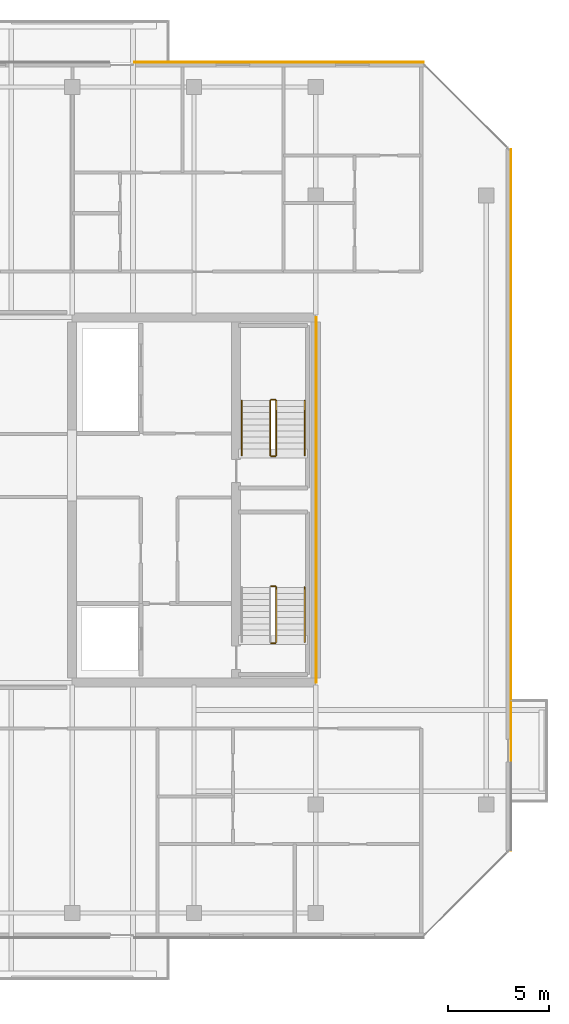
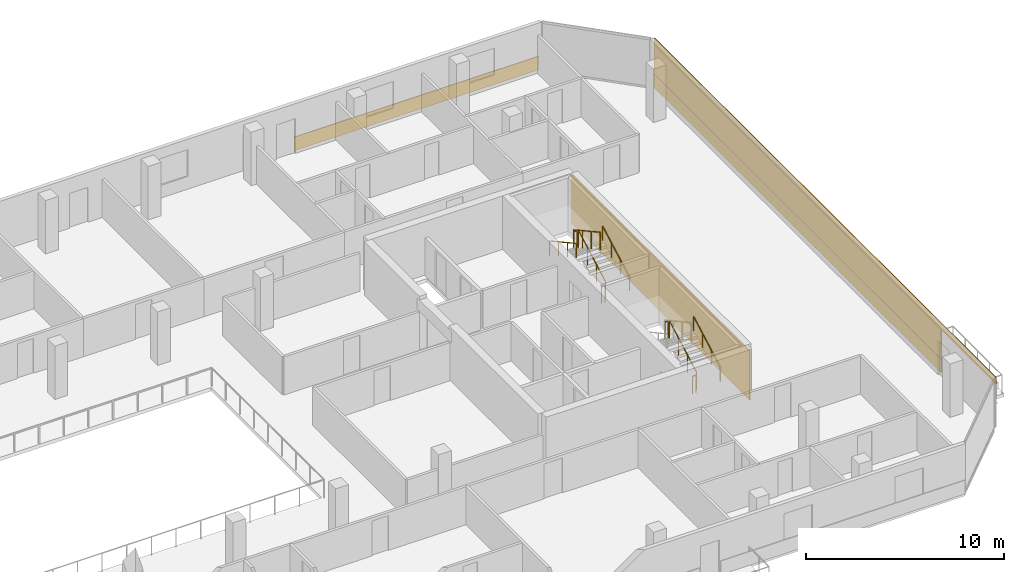
# One storey, part 28 of 28: 10 railings, 5 coverings.
"""IFC4 building model written with IfcOpenShell, lengths in metres."""

from ifc_helpers import new_model, si_unit, direction, frame, origin, origin_2d, place, context, subcontext, project, spatial, rectangle, extrude, material, layer, layer_set, type_object, element, save


model = new_model("IFC4")

# Units and contexts
model_context = context("Model", 3, precision=1e-05, world=origin(), true_north=direction((0.0, 1.0)))
body_context = subcontext(model_context, "Body", "Model", "MODEL_VIEW")
ifc_project = project(units=[si_unit("LENGTHUNIT", "METRE"), si_unit("AREAUNIT", "SQUARE_METRE"), si_unit("VOLUMEUNIT", "CUBIC_METRE"), si_unit("PLANEANGLEUNIT", "RADIAN"), si_unit("MASSUNIT", "GRAM", prefix="KILO")], contexts=[model_context])

# Site, building, storey
site_placement = place(None, origin())
site = spatial("IfcSite", under=ifc_project, at=site_placement, CompositionType="ELEMENT")
building_placement = place(site_placement, origin())
building = spatial("IfcBuilding", under=site, at=building_placement, Name="Tanjung Sevakor Pilgrim Tower", CompositionType="ELEMENT")
storey_placement = place(building_placement, frame((0.0, 0.0, 222.75)))
storey = spatial("IfcBuildingStorey", under=building, at=storey_placement, Name="L62", CompositionType="ELEMENT", Elevation=222.75)

# Coverings
ifc_material_1 = material(Name="Reconstructed Limestone Cladding", Category="masonry")
ifc_layer = layer(ifc_material_1, 0.044921875)
ifc_layer_set = layer_set([ifc_layer], Name="COV-CLAD-LIMESTONE")
covering_type = type_object("IfcCoveringType", Name="COV-CLAD-LIMESTONE", PredefinedType="CLADDING", material=ifc_layer_set)
covering_1_placement = place(storey_placement, frame((99.62255859375, 36.3623046875, 0.009765625), z_axis=(0.0, 0.0, 1.0), x_axis=(0.0, 1.0, 0.0)))
element("IfcCovering", 1, at=covering_1_placement, inside=storey, type_object=covering_type, Name="L62 Warm Limestone Sill Spandrel EW-L62-MAIN-7-2", PredefinedType="CLADDING", context=body_context, shape_type="SweptSolid", body=[
    extrude(rectangle(XDim=29.00439453125, YDim=0.044921875, at=origin_2d()), origin(), (0.0, 0.0, 1.0), 0.840087890625),
])
covering_2_placement = place(storey_placement, frame((99.62255859375, 33.60009765625, 2.66015625), z_axis=(0.0, 0.0, 1.0), x_axis=(0.0, 1.0, 0.0)))
element("IfcCovering", 2, at=covering_2_placement, inside=storey, type_object=covering_type, Name="L62 Warm Limestone Cornice Spandrel EW-L62-MAIN-7", PredefinedType="CLADDING", context=body_context, shape_type="SweptSolid", body=[
    extrude(rectangle(XDim=34.56884765625, YDim=0.044921875, at=origin_2d()), origin(), (0.0, 0.0, 1.0), 0.409912109375),
])
covering_3_placement = place(storey_placement, frame((99.62255859375, 36.357177734375, 0.849853515625), z_axis=(0.0, 0.0, 1.0), x_axis=(0.0, 1.0, 0.0)))
element("IfcCovering", 3, at=covering_3_placement, inside=storey, type_object=covering_type, Name="L62 Warm Limestone Pier Panel EW-L62-MAIN-7-2", PredefinedType="CLADDING", context=body_context, shape_type="SweptSolid", body=[
    extrude(rectangle(XDim=29.014404296875, YDim=0.044921875, at=origin_2d()), origin(), (0.0, 0.0, 1.0), 1.81005859375),
])
covering_4_placement = place(storey_placement, frame((88.187255859375, 55.172607421875, 0.009765625), z_axis=(0.0, 0.0, 1.0), x_axis=(-1.0, 0.0, 0.0)))
element("IfcCovering", 4, at=covering_4_placement, inside=storey, type_object=covering_type, Name="L62 Warm Limestone Sill Spandrel EW-L62-MAIN-9-1", PredefinedType="CLADDING", context=body_context, shape_type="SweptSolid", body=[
    extrude(rectangle(XDim=14.25439453125, YDim=0.044921875, at=origin_2d()), origin(), (0.0, 0.0, 1.0), 0.840087890625),
])
covering_5_placement = place(storey_placement, frame((90.0224609375, 33.60009765625, 0.02001953125), z_axis=(0.0, 0.0, 1.0), x_axis=(1.0, 0.0, 0.0)))
element("IfcCovering", 5, at=covering_5_placement, inside=storey, type_object=covering_type, Name="L62 Expressed Core Warm Limestone Cladding E", PredefinedType="CLADDING", context=body_context, shape_type="SweptSolid", body=[
    extrude(rectangle(XDim=0.044921875, YDim=18.0, at=origin_2d()), origin(), (0.0, 0.0, 1.0), 3.0400390625),
])

# Railings
ifc_material_2 = material(Name="Steel S355J2", Category="steel")
railing_type_1 = type_object("IfcRailingType", Name="RL-STAIR-GUARD", PredefinedType="GUARDRAIL", material=ifc_material_2)
railing_1_placement = place(storey_placement, frame((88.050048828125, 26.60009765625, 0.1650390625)))
element("IfcRailing", 6, at=railing_1_placement, inside=storey, type_object=railing_type_1, Name="L62 TS-E1 stair guard 1", PredefinedType="GUARDRAIL", context=body_context, shape_type="SweptSolid", body=[
    extrude(rectangle(XDim=0.0479, YDim=0.0479), frame((0.0, 0.0, 1.076171875), z_axis=(0.0, 0.876230963923, 0.481891375584), x_axis=(-1.0, 0.0, 0.0)), (0.0, 0.0, 1.0), 3.081298828125),
    extrude(rectangle(XDim=0.042, YDim=0.042), origin(), (0.0, 0.0, 1.0), 1.052001953125),
    extrude(rectangle(XDim=0.042, YDim=0.042), frame((0.0, 0.89990234375, 0.494873046875)), (0.0, 0.0, 1.0), 1.052001953125),
    extrude(rectangle(XDim=0.042, YDim=0.042), frame((0.0, 1.800048828125, 0.989990234375)), (0.0, 0.0, 1.0), 1.052001953125),
    extrude(rectangle(XDim=0.042, YDim=0.042), frame((0.0, 2.699951171875, 1.48486328125)), (0.0, 0.0, 1.0), 1.052001953125),
])
for number, where, name in (
    (7, (88.0, 29.35009765625, 1.64990234375), "L62 TS-E1 stair guard 2"),
    (8, (88.0, 26.550048828125, 0.0), "L62 TS-E1 stair guard 4"),
):
    element("IfcRailing", number, at=place(storey_placement, frame(where)), inside=storey, type_object=railing_type_1, Name=name, PredefinedType="GUARDRAIL", context=body_context, shape_type="SweptSolid", body=[
        extrude(rectangle(XDim=0.0479, YDim=0.0479), frame((0.0, 0.0, 1.076171875), z_axis=(-1.0, 0.0, 0.0), x_axis=(0.0, -1.0, 0.0)), (0.0, 0.0, 1.0), 0.199951171875),
        extrude(rectangle(XDim=0.042, YDim=0.042), origin(), (0.0, 0.0, 1.0), 1.052001953125),
        extrude(rectangle(XDim=0.042, YDim=0.042), frame((-0.199951171875, 0.0, 0.0)), (0.0, 0.0, 1.0), 1.052001953125),
    ])
railing_2_placement = place(storey_placement, frame((88.050048828125, 35.800048828125, 0.1650390625)))
element("IfcRailing", 9, at=railing_2_placement, inside=storey, type_object=railing_type_1, Name="L62 TS-E2 stair guard 1", PredefinedType="GUARDRAIL", context=body_context, shape_type="SweptSolid", body=[
    extrude(rectangle(XDim=0.0479, YDim=0.0479), frame((0.0, 0.0, 1.076171875), z_axis=(0.0, 0.876230963923, 0.481891375584), x_axis=(-1.0, 0.0, 0.0)), (0.0, 0.0, 1.0), 3.081298828125),
    extrude(rectangle(XDim=0.042, YDim=0.042), origin(), (0.0, 0.0, 1.0), 1.052001953125),
    extrude(rectangle(XDim=0.042, YDim=0.042), frame((0.0, 0.89990234375, 0.494873046875)), (0.0, 0.0, 1.0), 1.052001953125),
    extrude(rectangle(XDim=0.042, YDim=0.042), frame((0.0, 1.800048828125, 0.989990234375)), (0.0, 0.0, 1.0), 1.052001953125),
    extrude(rectangle(XDim=0.042, YDim=0.042), frame((0.0, 2.699951171875, 1.48486328125)), (0.0, 0.0, 1.0), 1.052001953125),
])
railing_3_placement = place(storey_placement, frame((88.0, 38.550048828125, 1.64990234375)))
element("IfcRailing", 10, at=railing_3_placement, inside=storey, type_object=railing_type_1, Name="L62 TS-E2 stair guard 2", PredefinedType="GUARDRAIL", context=body_context, shape_type="SweptSolid", body=[
    extrude(rectangle(XDim=0.0479, YDim=0.0479), frame((0.0, 0.0, 1.076171875), z_axis=(-1.0, 0.0, 0.0), x_axis=(0.0, -1.0, 0.0)), (0.0, 0.0, 1.0), 0.199951171875),
    extrude(rectangle(XDim=0.042, YDim=0.042), origin(), (0.0, 0.0, 1.0), 1.052001953125),
    extrude(rectangle(XDim=0.042, YDim=0.042), frame((-0.199951171875, 0.0, 0.0)), (0.0, 0.0, 1.0), 1.052001953125),
])
railing_4_placement = place(storey_placement, frame((87.75, 38.5, 1.81494140625)))
element("IfcRailing", 11, at=railing_4_placement, inside=storey, type_object=railing_type_1, Name="L62 TS-E2 stair guard 3", PredefinedType="GUARDRAIL", context=body_context, shape_type="SweptSolid", body=[
    extrude(rectangle(XDim=0.0479, YDim=0.0479), frame((0.0, 0.0, 1.076171875), z_axis=(0.0, -0.876197507361, 0.481952205197), x_axis=(1.0, 0.0, 0.0)), (0.0, 0.0, 1.0), 3.08154296875),
    extrude(rectangle(XDim=0.042, YDim=0.042), origin(), (0.0, 0.0, 1.0), 1.052001953125),
    extrude(rectangle(XDim=0.042, YDim=0.042), frame((0.0, -0.89990234375, 0.4951171875)), (0.0, 0.0, 1.0), 1.052001953125),
    extrude(rectangle(XDim=0.042, YDim=0.042), frame((0.0, -1.800048828125, 0.989990234375)), (0.0, 0.0, 1.0), 1.052001953125),
    extrude(rectangle(XDim=0.042, YDim=0.042), frame((0.0, -2.699951171875, 1.485107421875)), (0.0, 0.0, 1.0), 1.052001953125),
])
railing_5_placement = place(storey_placement, frame((88.0, 35.75, 0.0)))
element("IfcRailing", 12, at=railing_5_placement, inside=storey, type_object=railing_type_1, Name="L62 TS-E2 stair guard 4", PredefinedType="GUARDRAIL", context=body_context, shape_type="SweptSolid", body=[
    extrude(rectangle(XDim=0.0479, YDim=0.0479), frame((0.0, 0.0, 1.076171875), z_axis=(-1.0, 0.0, 0.0), x_axis=(0.0, -1.0, 0.0)), (0.0, 0.0, 1.0), 0.199951171875),
    extrude(rectangle(XDim=0.042, YDim=0.042), origin(), (0.0, 0.0, 1.0), 1.052001953125),
    extrude(rectangle(XDim=0.042, YDim=0.042), frame((-0.199951171875, 0.0, 0.0)), (0.0, 0.0, 1.0), 1.052001953125),
])
ifc_material_3 = material(Name="Steel S355J2", Category="steel")
railing_type_2 = type_object("IfcRailingType", Name="RL-STAIR-HAND", PredefinedType="HANDRAIL", material=ifc_material_3)
for number, where, name in (
    (13, (89.449951171875, 26.60009765625, 0.1650390625), "L62 TS-E1 stair handrail 1"),
    (14, (89.449951171875, 35.800048828125, 0.1650390625), "L62 TS-E2 stair handrail 1"),
):
    element("IfcRailing", number, at=place(storey_placement, frame(where)), inside=storey, type_object=railing_type_2, Name=name, PredefinedType="HANDRAIL", context=body_context, shape_type="SweptSolid", body=[
        extrude(rectangle(XDim=0.0479, YDim=0.0479), frame((0.0, 0.0, 0.8759765625), z_axis=(0.0, 0.876230963923, 0.481891375584), x_axis=(-1.0, 0.0, 0.0)), (0.0, 0.0, 1.0), 3.081298828125),
        extrude(rectangle(XDim=0.042, YDim=0.042), origin(), (0.0, 0.0, 1.0), 0.851806640625),
        extrude(rectangle(XDim=0.042, YDim=0.042), frame((0.0, 0.89990234375, 0.494873046875)), (0.0, 0.0, 1.0), 0.851806640625),
        extrude(rectangle(XDim=0.042, YDim=0.042), frame((0.0, 1.800048828125, 0.989990234375)), (0.0, 0.0, 1.0), 0.851806640625),
        extrude(rectangle(XDim=0.042, YDim=0.042), frame((0.0, 2.699951171875, 1.48486328125)), (0.0, 0.0, 1.0), 0.851806640625),
    ])
railing_6_placement = place(storey_placement, frame((86.35009765625, 38.5, 1.81494140625)))
element("IfcRailing", 15, at=railing_6_placement, inside=storey, type_object=railing_type_2, Name="L62 TS-E2 stair handrail 2", PredefinedType="HANDRAIL", context=body_context, shape_type="SweptSolid", body=[
    extrude(rectangle(XDim=0.0479, YDim=0.0479), frame((0.0, 0.0, 0.8759765625), z_axis=(0.0, -0.876197507361, 0.481952205197), x_axis=(1.0, 0.0, 0.0)), (0.0, 0.0, 1.0), 3.08154296875),
    extrude(rectangle(XDim=0.042, YDim=0.042), origin(), (0.0, 0.0, 1.0), 0.851806640625),
    extrude(rectangle(XDim=0.042, YDim=0.042), frame((0.0, -0.89990234375, 0.4951171875)), (0.0, 0.0, 1.0), 0.851806640625),
    extrude(rectangle(XDim=0.042, YDim=0.042), frame((0.0, -1.800048828125, 0.989990234375)), (0.0, 0.0, 1.0), 0.851806640625),
    extrude(rectangle(XDim=0.042, YDim=0.042), frame((0.0, -2.699951171875, 1.485107421875)), (0.0, 0.0, 1.0), 0.851806640625),
])

save(model, "model.ifc")
